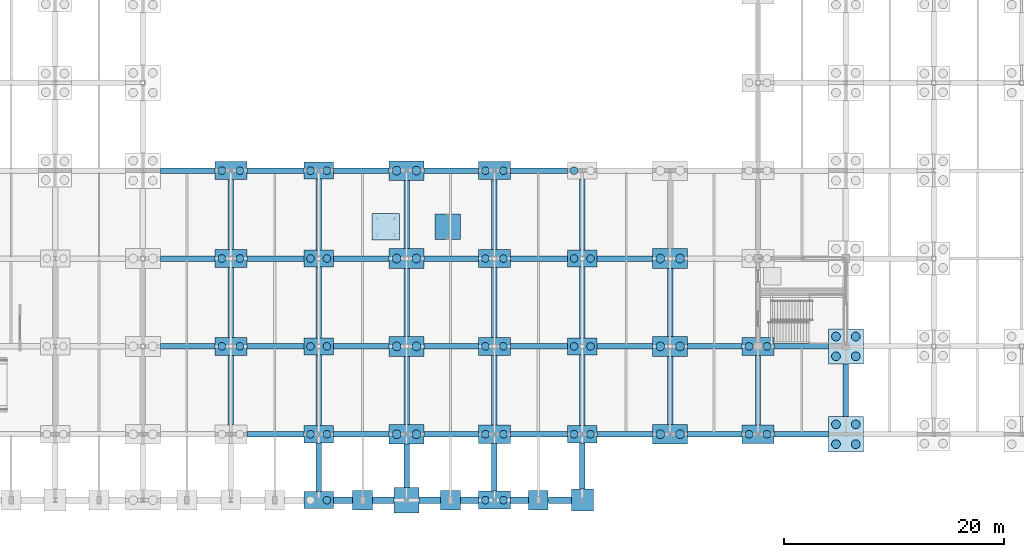
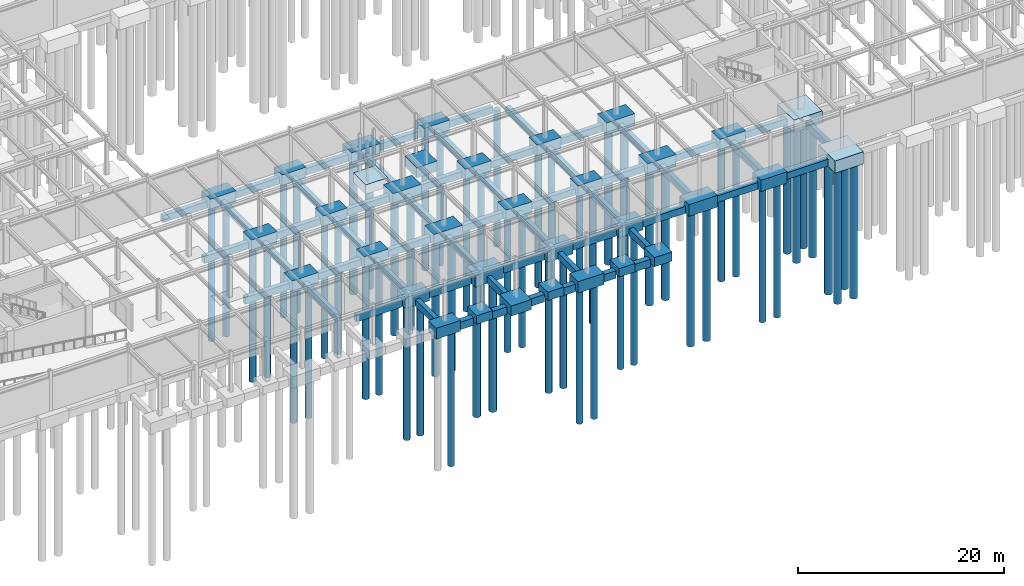
# One storey, part 4 of 72: 89 footings, 58 piles.
"""IFC4 building model written with IfcOpenShell, lengths in metres."""

import ifcopenshell
import ifcopenshell.guid

model = None  # the IFC model being written
_history = None  # IfcOwnerHistory: only IFC2X3 demands one
_inside = {}  # id of a spatial element -> (the spatial element, [elements in it])
_under = {}  # id of a project, library or spatial element -> (it, [spatial elements below it])
_declared = {}  # id of a project -> (the project, [libraries it declares])
_typed = {}  # id of a type object -> (the type object, [elements of that type])
_made_of = {}  # id of a material, layer set ... -> (it, [elements and type objects made of it])


def new_model(schema):
    """Start an empty IFC model of exactly this schema.

    Asked for "IFC4X3", IfcOpenShell would pick the latest addendum, in which some entities
    have other attributes; the version numbers below select the first issue.
    IFC2X3 requires an IfcOwnerHistory on every rooted entity: one is made here for all.
    """
    global model, _history
    if schema == "IFC4X3":
        model = ifcopenshell.file(schema_version=(4, 3, 0, 0))
    else:
        model = ifcopenshell.file(schema=schema)
    _inside.clear()
    _under.clear()
    _declared.clear()
    _typed.clear()
    _made_of.clear()
    _history = None
    if model.schema == "IFC2X3":
        org = make("IfcOrganization", Name="unknown")
        user = make(
            "IfcPersonAndOrganization",
            ThePerson=make("IfcPerson", FamilyName="unknown"),
            TheOrganization=org,
        )
        app = make(
            "IfcApplication",
            ApplicationDeveloper=org,
            Version="unknown",
            ApplicationFullName="unknown",
            ApplicationIdentifier="unknown",
        )
        _history = make(
            "IfcOwnerHistory",
            OwningUser=user,
            OwningApplication=app,
            ChangeAction="ADDED",
            CreationDate=0,
        )
    return model


def make(cls, **values):
    """One entity of the class cls with the attributes given. An attribute that is None is left unset."""
    return model.create_entity(
        cls, **{name: value for name, value in values.items() if value is not None}
    )


def rooted(cls, **values):
    """An entity with a GlobalId (a new one), such as an element, a storey or a relation."""
    return make(cls, GlobalId=ifcopenshell.guid.new(), OwnerHistory=_history, **values)


def si_unit(unit_type, name, prefix=None):
    """IfcSIUnit, for example si_unit("LENGTHUNIT", "METRE", prefix="MILLI")."""
    return make("IfcSIUnit", UnitType=unit_type, Prefix=prefix, Name=name)


def assignment(units):
    """IfcUnitAssignment: the units of a project."""
    return None if units is None else make("IfcUnitAssignment", Units=units)


def point(xyz):
    """IfcCartesianPoint."""
    return None if xyz is None else make("IfcCartesianPoint", Coordinates=xyz)


def direction(xyz):
    """IfcDirection."""
    return None if xyz is None else make("IfcDirection", DirectionRatios=xyz)


def frame(location, z_axis=None, x_axis=None):
    """IfcAxis2Placement3D, a coordinate frame: its origin and axes. An axis left out is left unset."""
    return make(
        "IfcAxis2Placement3D",
        Location=point(location),
        Axis=direction(z_axis),
        RefDirection=direction(x_axis),
    )


def frame_2d(location, x_axis=None):
    """IfcAxis2Placement2D, a coordinate frame in the plane: its origin and x axis."""
    return make(
        "IfcAxis2Placement2D", Location=point(location), RefDirection=direction(x_axis)
    )


def origin():
    """The frame at (0, 0, 0) with its axes left unset."""
    return frame((0.0, 0.0, 0.0))


def origin_2d():
    """The frame at (0, 0) in the plane with its x axis left unset."""
    return frame_2d((0.0, 0.0))


def place(relative_to, where):
    """IfcLocalPlacement: puts the frame where relative to a parent placement (None: the world)."""
    return make(
        "IfcLocalPlacement", PlacementRelTo=relative_to, RelativePlacement=where
    )


def context(
    kind, dimensions, precision=None, world=None, true_north=None, identifier=None
):
    """IfcGeometricRepresentationContext, for example the 3D "Model" context."""
    return make(
        "IfcGeometricRepresentationContext",
        ContextIdentifier=identifier,
        ContextType=kind,
        CoordinateSpaceDimension=dimensions,
        Precision=precision,
        WorldCoordinateSystem=world,
        TrueNorth=true_north,
    )


def subcontext(parent, identifier, kind, view, scale=None):
    """IfcGeometricRepresentationSubContext, for example "Body" below "Model"."""
    return make(
        "IfcGeometricRepresentationSubContext",
        ContextIdentifier=identifier,
        ContextType=kind,
        ParentContext=parent,
        TargetScale=scale,
        TargetView=view,
    )


def project(units=None, contexts=None):
    """IfcProject with its units and contexts."""
    return rooted(
        "IfcProject",
        Name="project",
        RepresentationContexts=contexts,
        UnitsInContext=assignment(units),
    )


def spatial(cls, under=None, at=None, **own):
    """A site, building, storey or space (cls), placed at a placement, below another one or the project."""
    s = rooted(cls, ObjectPlacement=at, **own)
    if under is not None:
        _under.setdefault(under.id(), (under, []))[1].append(s)
    return s


def profile(cls, at=None, kind="AREA", **sizes):
    """A parametric profile (cls). Its sizes go by their IFC names, for example OverallWidth=200.0."""
    return make(cls, ProfileType=kind, Position=at, **sizes)


def rectangle(**sizes):
    """IfcRectangleProfileDef."""
    return profile("IfcRectangleProfileDef", **sizes)


def circle(**sizes):
    """IfcCircleProfileDef."""
    return profile("IfcCircleProfileDef", **sizes)


def extrude(swept, where, along, depth):
    """IfcExtrudedAreaSolid: the profile swept, set in the frame where, extruded along a direction by depth."""
    return make(
        "IfcExtrudedAreaSolid",
        SweptArea=swept,
        Position=where,
        ExtrudedDirection=direction(along),
        Depth=depth,
    )


def shape(context_of_items, identifier, shape_type, items):
    """IfcShapeRepresentation: the items that make up one representation, for example the "Body"."""
    return make(
        "IfcShapeRepresentation",
        ContextOfItems=context_of_items,
        RepresentationIdentifier=identifier,
        RepresentationType=shape_type,
        Items=items,
    )


def material(Name=None, Category=None):
    """IfcMaterial."""
    return make("IfcMaterial", Name=Name, Category=Category)


def material_profile(
    of_material, cross_section, Name=None, Category=None, Priority=None
):
    """IfcMaterialProfile: a cross section and its material."""
    return make(
        "IfcMaterialProfile",
        Name=Name,
        Material=of_material,
        Profile=cross_section,
        Priority=Priority,
        Category=Category,
    )


def profile_set(profiles, Name=None, composite=None):
    """IfcMaterialProfileSet."""
    return make(
        "IfcMaterialProfileSet",
        Name=Name,
        MaterialProfiles=profiles,
        CompositeProfile=composite,
    )


def made_of(thing, what):
    """Note that an element or type object is made of a material, layer set ...; save() writes the relation."""
    if what is not None:
        _made_of.setdefault(what.id(), (what, []))[1].append(thing)
    return thing


def type_object(cls, material=None, **own):
    """A type object (cls), such as IfcWallType, which elements share."""
    return made_of(rooted(cls, **own), material)


def element(
    cls,
    number,
    at=None,
    inside=None,
    cuts=None,
    type_object=None,
    material=None,
    context=None,
    identifier="Body",
    shape_type=None,
    held_by="IfcProductDefinitionShape",
    body=None,
    shapes=None,
    **own,
):
    """One element of the class cls, such as IfcWall. Its Tag is "e" and its number.

    at: its placement. inside: the storey or other place that contains it. cuts: it is an
    opening in that element (IfcRelVoidsElement). A single representation is given by context,
    identifier, shape_type and body (its items); several are given by shapes. held_by: the class
    of the entity that holds the representations. save() writes the other relations.
    """
    e = rooted(cls, Tag="e%d" % number, ObjectPlacement=at, **own)
    if body is not None:
        shapes = [shape(context, identifier, shape_type, body)]
    if shapes is not None:
        e.Representation = make(held_by, Representations=shapes)
    if inside is not None:
        _inside.setdefault(inside.id(), (inside, []))[1].append(e)
    if cuts is not None:
        rooted(
            "IfcRelVoidsElement", RelatingBuildingElement=cuts, RelatedOpeningElement=e
        )
    if type_object is not None:
        _typed.setdefault(type_object.id(), (type_object, []))[1].append(e)
    return made_of(e, material)


def aggregate(whole, parts):
    """IfcRelAggregates: a whole, such as a stair, and the parts it consists of."""
    return rooted("IfcRelAggregates", RelatingObject=whole, RelatedObjects=parts)


def save(model, path):
    """Write the relations noted so far, then the file.

    IfcRelAggregates (storeys below a building ...), IfcRelContainedInSpatialStructure (elements
    in a storey), IfcRelDefinesByType, IfcRelAssociatesMaterial and IfcRelDeclares: one each for
    every whole, place, type object, material and project.
    """
    for whole, parts in _under.values():
        aggregate(whole, parts)
    for where, things in _inside.values():
        rooted(
            "IfcRelContainedInSpatialStructure",
            RelatedElements=things,
            RelatingStructure=where,
        )
    for kind, things in _typed.values():
        rooted("IfcRelDefinesByType", RelatedObjects=things, RelatingType=kind)
    for what, things in _made_of.values():
        rooted("IfcRelAssociatesMaterial", RelatedObjects=things, RelatingMaterial=what)
    for by, libraries in _declared.values():
        rooted("IfcRelDeclares", RelatingContext=by, RelatedDefinitions=libraries)
    model.write(path)


model = new_model("IFC4")

# Units and contexts
model_context = context("Model", 3, precision=1e-05, world=origin(), true_north=direction((0.0, 1.0)))
body_context = subcontext(model_context, "Body", "Model", "MODEL_VIEW")
ifc_project = project(units=[si_unit("LENGTHUNIT", "METRE"), si_unit("AREAUNIT", "SQUARE_METRE"), si_unit("VOLUMEUNIT", "CUBIC_METRE"), si_unit("PLANEANGLEUNIT", "RADIAN"), si_unit("MASSUNIT", "GRAM", prefix="KILO")], contexts=[model_context])

# Site, building, storey
site_placement = place(None, origin())
site = spatial("IfcSite", under=ifc_project, at=site_placement, CompositionType="ELEMENT")
building_placement = place(site_placement, origin())
building = spatial("IfcBuilding", under=site, at=building_placement, Name="Zhaolan Boulevard Law Courts", CompositionType="ELEMENT")
storey_placement = place(building_placement, frame((0.0, 0.0, -4.800048828125)))
storey = spatial("IfcBuildingStorey", under=building, at=storey_placement, Name="B1", CompositionType="ELEMENT", Elevation=-4.800048828125)

# Piles
ifc_material_1 = material(Name="Concrete C40", Category="concrete")
ifc_material_profile_1 = material_profile(ifc_material_1, circle(Radius=0.35009765625, at=origin_2d()), Name="PILE-D700")
ifc_profile_set_1 = profile_set([ifc_material_profile_1], Name="Concrete C40")
pile_type_1 = type_object("IfcPileType", Name="BORED PILE D700", PredefinedType="BORED", material=ifc_profile_set_1)
for number, where, z_axis, x_axis, name in (
    (1, (67.179931640625, 14.0, -1.25), (0.0, 0.0, -1.0), (1.0, 0.0, 0.0), "Bored Pile P-9C-1"),
    (2, (68.820068359375, 14.0, -1.25), (0.0, 0.0, -1.0), (1.0, 0.0, 0.0), "Bored Pile P-9C-2"),
    (3, (67.179931640625, 22.0, -1.25), (0.0, 0.0, -1.0), (1.0, 0.0, 0.0), "Bored Pile P-9D-1"),
    (4, (68.820068359375, 22.0, -1.25), (0.0, 0.0, -1.0), (1.0, 0.0, 0.0), "Bored Pile P-9D-2"),
    (5, (67.179931640625, 30.0, -1.25), (0.0, 0.0, -1.0), (1.0, 0.0, 0.0), "Bored Pile P-9E-1"),
    (6, (68.820068359375, 30.0, -1.25), (0.0, 0.0, -1.0), (1.0, 0.0, 0.0), "Bored Pile P-9E-2"),
):
    element("IfcPile", number, at=place(storey_placement, frame(where, z_axis=z_axis, x_axis=x_axis)), inside=storey, type_object=pile_type_1, Name=name, PredefinedType="BORED", context=body_context, shape_type="SweptSolid", body=[
        extrude(circle(Radius=0.35009765625, at=origin_2d()), origin(), (0.0, 0.0, 1.0), 16.14990234375),
    ])
for number, where, z_axis, x_axis, name in (
    (7, (76.75, 0.0, -1.199951171875), (0.0, 0.0, -1.0), (1.0, 0.0, 0.0), "Bored Pile P-10A-2"),
    (8, (75.25, 6.0, -1.199951171875), (0.0, 0.0, -1.0), (1.0, 0.0, 0.0), "Bored Pile P-10B-1"),
    (9, (76.75, 6.0, -1.199951171875), (0.0, 0.0, -1.0), (1.0, 0.0, 0.0), "Bored Pile P-10B-2"),
    (10, (75.25, 14.0, -1.199951171875), (0.0, 0.0, -1.0), (1.0, 0.0, 0.0), "Bored Pile P-10C-1"),
    (11, (76.75, 14.0, -1.199951171875), (0.0, 0.0, -1.0), (1.0, 0.0, 0.0), "Bored Pile P-10C-2"),
    (12, (75.25, 22.0, -1.199951171875), (0.0, 0.0, -1.0), (1.0, 0.0, 0.0), "Bored Pile P-10D-1"),
    (13, (76.75, 22.0, -1.199951171875), (0.0, 0.0, -1.0), (1.0, 0.0, 0.0), "Bored Pile P-10D-2"),
    (14, (75.25, 30.0, -1.199951171875), (0.0, 0.0, -1.0), (1.0, 0.0, 0.0), "Bored Pile P-10E-1"),
    (15, (76.75, 30.0, -1.199951171875), (0.0, 0.0, -1.0), (1.0, 0.0, 0.0), "Bored Pile P-10E-2"),
):
    element("IfcPile", number, at=place(storey_placement, frame(where, z_axis=z_axis, x_axis=x_axis)), inside=storey, type_object=pile_type_1, Name=name, PredefinedType="BORED", context=body_context, shape_type="SweptSolid", body=[
        extrude(circle(Radius=0.35009765625, at=origin_2d()), origin(), (0.0, 0.0, 1.0), 16.199951171875),
    ])
for number, where, z_axis, x_axis, name in (
    (16, (91.179931640625, 0.0, -1.25), (0.0, 0.0, -1.0), (1.0, 0.0, 0.0), "Bored Pile P-12A-1"),
    (17, (92.820068359375, 0.0, -1.25), (0.0, 0.0, -1.0), (1.0, 0.0, 0.0), "Bored Pile P-12A-2"),
    (18, (91.179931640625, 6.0, -1.25), (0.0, 0.0, -1.0), (1.0, 0.0, 0.0), "Bored Pile P-12B-1"),
    (19, (92.820068359375, 6.0, -1.25), (0.0, 0.0, -1.0), (1.0, 0.0, 0.0), "Bored Pile P-12B-2"),
    (20, (91.179931640625, 14.0, -1.25), (0.0, 0.0, -1.0), (1.0, 0.0, 0.0), "Bored Pile P-12C-1"),
    (21, (92.820068359375, 14.0, -1.25), (0.0, 0.0, -1.0), (1.0, 0.0, 0.0), "Bored Pile P-12C-2"),
    (22, (91.179931640625, 22.0, -1.25), (0.0, 0.0, -1.0), (1.0, 0.0, 0.0), "Bored Pile P-12D-1"),
    (23, (92.820068359375, 22.0, -1.25), (0.0, 0.0, -1.0), (1.0, 0.0, 0.0), "Bored Pile P-12D-2"),
    (24, (91.179931640625, 30.0, -1.25), (0.0, 0.0, -1.0), (1.0, 0.0, 0.0), "Bored Pile P-12E-1"),
    (25, (92.820068359375, 30.0, -1.25), (0.0, 0.0, -1.0), (1.0, 0.0, 0.0), "Bored Pile P-12E-2"),
):
    element("IfcPile", number, at=place(storey_placement, frame(where, z_axis=z_axis, x_axis=x_axis)), inside=storey, type_object=pile_type_1, Name=name, PredefinedType="BORED", context=body_context, shape_type="SweptSolid", body=[
        extrude(circle(Radius=0.35009765625, at=origin_2d()), origin(), (0.0, 0.0, 1.0), 16.14990234375),
    ])
for number, where, z_axis, x_axis, name in (
    (26, (99.25, 6.0, -1.199951171875), (0.0, 0.0, -1.0), (1.0, 0.0, 0.0), "Bored Pile P-13B-1"),
    (27, (100.75, 6.0, -1.199951171875), (0.0, 0.0, -1.0), (1.0, 0.0, 0.0), "Bored Pile P-13B-2"),
    (28, (99.25, 14.0, -1.199951171875), (0.0, 0.0, -1.0), (1.0, 0.0, 0.0), "Bored Pile P-13C-1"),
    (29, (100.75, 14.0, -1.199951171875), (0.0, 0.0, -1.0), (1.0, 0.0, 0.0), "Bored Pile P-13C-2"),
    (30, (99.25, 22.0, -1.199951171875), (0.0, 0.0, -1.0), (1.0, 0.0, 0.0), "Bored Pile P-13D-1"),
    (31, (100.75, 22.0, -1.199951171875), (0.0, 0.0, -1.0), (1.0, 0.0, 0.0), "Bored Pile P-13D-2"),
    (32, (99.25, 30.0, -1.199951171875), (0.0, 0.0, -1.0), (1.0, 0.0, 0.0), "Bored Pile P-13E-1"),
):
    element("IfcPile", number, at=place(storey_placement, frame(where, z_axis=z_axis, x_axis=x_axis)), inside=storey, type_object=pile_type_1, Name=name, PredefinedType="BORED", context=body_context, shape_type="SweptSolid", body=[
        extrude(circle(Radius=0.35009765625, at=origin_2d()), origin(), (0.0, 0.0, 1.0), 16.199951171875),
    ])
for number, where, z_axis, x_axis, name in (
    (33, (115.179931640625, 6.0, -1.25), (0.0, 0.0, -1.0), (1.0, 0.0, 0.0), "Bored Pile P-15B-1"),
    (34, (116.820068359375, 6.0, -1.25), (0.0, 0.0, -1.0), (1.0, 0.0, 0.0), "Bored Pile P-15B-2"),
    (35, (115.179931640625, 14.0, -1.25), (0.0, 0.0, -1.0), (1.0, 0.0, 0.0), "Bored Pile P-15C-1"),
    (36, (116.820068359375, 14.0, -1.25), (0.0, 0.0, -1.0), (1.0, 0.0, 0.0), "Bored Pile P-15C-2"),
):
    element("IfcPile", number, at=place(storey_placement, frame(where, z_axis=z_axis, x_axis=x_axis)), inside=storey, type_object=pile_type_1, Name=name, PredefinedType="BORED", context=body_context, shape_type="SweptSolid", body=[
        extrude(circle(Radius=0.35009765625, at=origin_2d()), origin(), (0.0, 0.0, 1.0), 16.14990234375),
    ])
ifc_material_2 = material(Name="Concrete C40", Category="concrete")
ifc_material_profile_2 = material_profile(ifc_material_2, circle(Radius=0.39990234375, at=origin_2d()), Name="PILE-D800")
ifc_profile_set_2 = profile_set([ifc_material_profile_2], Name="Concrete C40")
pile_type_2 = type_object("IfcPileType", Name="BORED PILE D800", PredefinedType="BORED", material=ifc_profile_set_2)
for number, where, z_axis, x_axis, name in (
    (37, (83.10009765625, 6.0, -1.300048828125), (0.0, 0.0, -1.0), (1.0, 0.0, 0.0), "Bored Pile P-11B-1"),
    (38, (84.89990234375, 6.0, -1.300048828125), (0.0, 0.0, -1.0), (1.0, 0.0, 0.0), "Bored Pile P-11B-2"),
    (39, (83.10009765625, 14.0, -1.300048828125), (0.0, 0.0, -1.0), (1.0, 0.0, 0.0), "Bored Pile P-11C-1"),
    (40, (84.89990234375, 14.0, -1.300048828125), (0.0, 0.0, -1.0), (1.0, 0.0, 0.0), "Bored Pile P-11C-2"),
    (41, (83.10009765625, 22.0, -1.300048828125), (0.0, 0.0, -1.0), (1.0, 0.0, 0.0), "Bored Pile P-11D-1"),
    (42, (84.89990234375, 22.0, -1.300048828125), (0.0, 0.0, -1.0), (1.0, 0.0, 0.0), "Bored Pile P-11D-2"),
    (43, (83.10009765625, 30.0, -1.300048828125), (0.0, 0.0, -1.0), (1.0, 0.0, 0.0), "Bored Pile P-11E-1"),
    (44, (84.89990234375, 30.0, -1.300048828125), (0.0, 0.0, -1.0), (1.0, 0.0, 0.0), "Bored Pile P-11E-2"),
    (45, (107.10009765625, 6.0, -1.300048828125), (0.0, 0.0, -1.0), (1.0, 0.0, 0.0), "Bored Pile P-14B-1"),
    (46, (108.89990234375, 6.0, -1.300048828125), (0.0, 0.0, -1.0), (1.0, 0.0, 0.0), "Bored Pile P-14B-2"),
    (47, (107.10009765625, 14.0, -1.300048828125), (0.0, 0.0, -1.0), (1.0, 0.0, 0.0), "Bored Pile P-14C-1"),
    (48, (108.89990234375, 14.0, -1.300048828125), (0.0, 0.0, -1.0), (1.0, 0.0, 0.0), "Bored Pile P-14C-2"),
    (49, (107.10009765625, 22.0, -1.300048828125), (0.0, 0.0, -1.0), (1.0, 0.0, 0.0), "Bored Pile P-14D-1"),
    (50, (108.89990234375, 22.0, -1.300048828125), (0.0, 0.0, -1.0), (1.0, 0.0, 0.0), "Bored Pile P-14D-2"),
):
    element("IfcPile", number, at=place(storey_placement, frame(where, z_axis=z_axis, x_axis=x_axis)), inside=storey, type_object=pile_type_2, Name=name, PredefinedType="BORED", context=body_context, shape_type="SweptSolid", body=[
        extrude(circle(Radius=0.39990234375, at=origin_2d()), origin(), (0.0, 0.0, 1.0), 16.10009765625),
    ])
for number, where, z_axis, x_axis, name in (
    (51, (123.10009765625, 5.10009765625, -1.349853515625), (0.0, 0.0, -1.0), (1.0, 0.0, 0.0), "Bored Pile P-16B-1"),
    (52, (124.89990234375, 5.10009765625, -1.349853515625), (0.0, 0.0, -1.0), (1.0, 0.0, 0.0), "Bored Pile P-16B-2"),
    (53, (123.10009765625, 6.89990234375, -1.349853515625), (0.0, 0.0, -1.0), (1.0, 0.0, 0.0), "Bored Pile P-16B-3"),
    (54, (124.89990234375, 6.89990234375, -1.349853515625), (0.0, 0.0, -1.0), (1.0, 0.0, 0.0), "Bored Pile P-16B-4"),
    (55, (123.10009765625, 13.10009765625, -1.349853515625), (0.0, 0.0, -1.0), (1.0, 0.0, 0.0), "Bored Pile P-16C-1"),
    (56, (124.89990234375, 13.10009765625, -1.349853515625), (0.0, 0.0, -1.0), (1.0, 0.0, 0.0), "Bored Pile P-16C-2"),
    (57, (123.10009765625, 14.89990234375, -1.349853515625), (0.0, 0.0, -1.0), (1.0, 0.0, 0.0), "Bored Pile P-16C-3"),
    (58, (124.89990234375, 14.89990234375, -1.349853515625), (0.0, 0.0, -1.0), (1.0, 0.0, 0.0), "Bored Pile P-16C-4"),
):
    element("IfcPile", number, at=place(storey_placement, frame(where, z_axis=z_axis, x_axis=x_axis)), inside=storey, type_object=pile_type_2, Name=name, PredefinedType="BORED", context=body_context, shape_type="SweptSolid", body=[
        extrude(circle(Radius=0.39990234375, at=origin_2d()), origin(), (0.0, 0.0, 1.0), 16.050048828125),
    ])

# Footings
ifc_material_3 = material(Name="Concrete C40", Category="concrete")
footing_type_1 = type_object("IfcFootingType", Name="PAD FOOTING 1800X1800X1000", PredefinedType="PAD_FOOTING", material=ifc_material_3)
for number, where, z_axis, x_axis, name in (
    (59, (80.0, 0.0, -1.0), (0.0, 0.0, 1.0), (1.0, 0.0, 0.0), "Pilaster Pad Footing PFP-05"),
    (60, (88.0, 0.0, -1.0), (0.0, 0.0, 1.0), (1.0, 0.0, 0.0), "Pilaster Pad Footing PFP-06"),
    (61, (96.0, 0.0, -1.0), (0.0, 0.0, 1.0), (1.0, 0.0, 0.0), "Pilaster Pad Footing PFP-07"),
):
    element("IfcFooting", number, at=place(storey_placement, frame(where, z_axis=z_axis, x_axis=x_axis)), inside=storey, type_object=footing_type_1, Name=name, PredefinedType="PAD_FOOTING", context=body_context, shape_type="SweptSolid", body=[
        extrude(rectangle(XDim=1.800048828125, YDim=1.800048828125, at=origin_2d()), origin(), (0.0, 0.0, 1.0), 1.0),
    ])
ifc_material_4 = material(Name="Concrete C40", Category="concrete")
footing_type_2 = type_object("IfcFootingType", Name="PAD FOOTING 2000X2000X1100", PredefinedType="PAD_FOOTING", material=ifc_material_4)
footing_1_placement = place(storey_placement, frame((100.0, 0.0, -1.10009765625), z_axis=(0.0, 0.0, 1.0), x_axis=(1.0, 0.0, 0.0)))
element("IfcFooting", 62, at=footing_1_placement, inside=storey, type_object=footing_type_2, Name="Pad Footing PF-13A", PredefinedType="PAD_FOOTING", context=body_context, shape_type="SweptSolid", body=[
    extrude(rectangle(XDim=2.0, YDim=2.0, at=origin_2d()), origin(), (0.0, 0.0, 1.0), 1.10009765625),
])
ifc_material_5 = material(Name="Concrete C40", Category="concrete")
footing_type_3 = type_object("IfcFootingType", Name="PAD FOOTING 2300X2300X1200", PredefinedType="PAD_FOOTING", material=ifc_material_5)
for number, where, z_axis, x_axis, name in (
    (63, (84.0, 0.0, -1.19970703125), (0.0, 0.0, 1.0), (1.0, 0.0, 0.0), "Pad Footing PF-11A"),
    (64, (87.75, 24.89990234375, -1.19970703125), (0.0, 0.0, 1.0), (1.0, 0.0, 0.0), "Grand Stair Arrival Footing PF-ST6T"),
):
    element("IfcFooting", number, at=place(storey_placement, frame(where, z_axis=z_axis, x_axis=x_axis)), inside=storey, type_object=footing_type_3, Name=name, PredefinedType="PAD_FOOTING", context=body_context, shape_type="SweptSolid", body=[
        extrude(rectangle(XDim=2.300048828125, YDim=2.300048828125, at=origin_2d()), origin(), (0.0, 0.0, 1.0), 1.199951171875),
    ])
ifc_material_6 = material(Name="Concrete C40", Category="concrete")
footing_type_4 = type_object("IfcFootingType", Name="PAD FOOTING 2500X2400X1100", PredefinedType="PAD_FOOTING", material=ifc_material_6)
footing_2_placement = place(storey_placement, frame((82.10009765625, 24.89990234375, -1.10009765625), z_axis=(0.0, 0.0, 1.0), x_axis=(1.0, 0.0, 0.0)))
element("IfcFooting", 65, at=footing_2_placement, inside=storey, type_object=footing_type_4, Name="Grand Stair Combined Pad Footing PF-ST6", PredefinedType="PAD_FOOTING", context=body_context, shape_type="SweptSolid", body=[
    extrude(rectangle(XDim=2.5, YDim=2.39990234375, at=origin_2d()), origin(), (0.0, 0.0, 1.0), 1.10009765625),
])
ifc_material_7 = material(Name="Concrete C40", Category="concrete")
footing_type_5 = type_object("IfcFootingType", Name="PILE CAP 2700X1550X1300", PredefinedType="PILE_CAP", material=ifc_material_7)
for number, where, z_axis, x_axis, name in (
    (66, (76.0, 0.0, -1.2998046875), (0.0, 0.0, 1.0), (1.0, 0.0, 0.0), "Pile Cap PC-10A"),
    (67, (76.0, 6.0, -1.2998046875), (0.0, 0.0, 1.0), (1.0, 0.0, 0.0), "Pile Cap PC-10B"),
    (68, (76.0, 14.0, -1.2998046875), (0.0, 0.0, 1.0), (1.0, 0.0, 0.0), "Pile Cap PC-10C"),
    (69, (76.0, 22.0, -1.2998046875), (0.0, 0.0, 1.0), (1.0, 0.0, 0.0), "Pile Cap PC-10D"),
    (70, (76.0, 30.0, -1.2998046875), (0.0, 0.0, 1.0), (1.0, 0.0, 0.0), "Pile Cap PC-10E"),
    (71, (100.0, 6.0, -1.2998046875), (0.0, 0.0, 1.0), (1.0, 0.0, 0.0), "Pile Cap PC-13B"),
    (72, (100.0, 14.0, -1.2998046875), (0.0, 0.0, 1.0), (1.0, 0.0, 0.0), "Pile Cap PC-13C"),
    (73, (100.0, 22.0, -1.2998046875), (0.0, 0.0, 1.0), (1.0, 0.0, 0.0), "Pile Cap PC-13D"),
):
    element("IfcFooting", number, at=place(storey_placement, frame(where, z_axis=z_axis, x_axis=x_axis)), inside=storey, type_object=footing_type_5, Name=name, PredefinedType="PILE_CAP", context=body_context, shape_type="SweptSolid", body=[
        extrude(rectangle(XDim=2.699951171875, YDim=1.550048828125, at=origin_2d()), origin(), (0.0, 0.0, 1.0), 1.300048828125),
    ])
ifc_material_8 = material(Name="Concrete C40", Category="concrete")
footing_type_6 = type_object("IfcFootingType", Name="PILE CAP 2900X1650X1350", PredefinedType="PILE_CAP", material=ifc_material_8)
for number, where, z_axis, x_axis, name in (
    (74, (68.0, 14.0, -1.35009765625), (0.0, 0.0, 1.0), (1.0, 0.0, 0.0), "Pile Cap PC-9C"),
    (75, (68.0, 22.0, -1.35009765625), (0.0, 0.0, 1.0), (1.0, 0.0, 0.0), "Pile Cap PC-9D"),
    (76, (68.0, 30.0, -1.35009765625), (0.0, 0.0, 1.0), (1.0, 0.0, 0.0), "Pile Cap PC-9E"),
    (77, (92.0, 0.0, -1.35009765625), (0.0, 0.0, 1.0), (1.0, 0.0, 0.0), "Pile Cap PC-12A"),
    (78, (92.0, 6.0, -1.35009765625), (0.0, 0.0, 1.0), (1.0, 0.0, 0.0), "Pile Cap PC-12B"),
    (79, (92.0, 14.0, -1.35009765625), (0.0, 0.0, 1.0), (1.0, 0.0, 0.0), "Pile Cap PC-12C"),
    (80, (92.0, 22.0, -1.35009765625), (0.0, 0.0, 1.0), (1.0, 0.0, 0.0), "Pile Cap PC-12D"),
    (81, (92.0, 30.0, -1.35009765625), (0.0, 0.0, 1.0), (1.0, 0.0, 0.0), "Pile Cap PC-12E"),
    (82, (116.0, 6.0, -1.35009765625), (0.0, 0.0, 1.0), (1.0, 0.0, 0.0), "Pile Cap PC-15B"),
    (83, (116.0, 14.0, -1.35009765625), (0.0, 0.0, 1.0), (1.0, 0.0, 0.0), "Pile Cap PC-15C"),
):
    element("IfcFooting", number, at=place(storey_placement, frame(where, z_axis=z_axis, x_axis=x_axis)), inside=storey, type_object=footing_type_6, Name=name, PredefinedType="PILE_CAP", context=body_context, shape_type="SweptSolid", body=[
        extrude(rectangle(XDim=2.89990234375, YDim=1.64990234375, at=origin_2d()), origin(), (0.0, 0.0, 1.0), 1.35009765625),
    ])
ifc_material_9 = material(Name="Concrete C40", Category="concrete")
footing_type_7 = type_object("IfcFootingType", Name="PILE CAP 3200X1800X1400", PredefinedType="PILE_CAP", material=ifc_material_9)
for number, where, z_axis, x_axis, name in (
    (84, (84.0, 6.0, -1.39990234375), (0.0, 0.0, 1.0), (1.0, 0.0, 0.0), "Pile Cap PC-11B"),
    (85, (84.0, 14.0, -1.39990234375), (0.0, 0.0, 1.0), (1.0, 0.0, 0.0), "Pile Cap PC-11C"),
    (86, (84.0, 22.0, -1.39990234375), (0.0, 0.0, 1.0), (1.0, 0.0, 0.0), "Pile Cap PC-11D"),
    (87, (84.0, 30.0, -1.39990234375), (0.0, 0.0, 1.0), (1.0, 0.0, 0.0), "Pile Cap PC-11E"),
    (88, (108.0, 6.0, -1.39990234375), (0.0, 0.0, 1.0), (1.0, 0.0, 0.0), "Pile Cap PC-14B"),
    (89, (108.0, 14.0, -1.39990234375), (0.0, 0.0, 1.0), (1.0, 0.0, 0.0), "Pile Cap PC-14C"),
    (90, (108.0, 22.0, -1.39990234375), (0.0, 0.0, 1.0), (1.0, 0.0, 0.0), "Pile Cap PC-14D"),
):
    element("IfcFooting", number, at=place(storey_placement, frame(where, z_axis=z_axis, x_axis=x_axis)), inside=storey, type_object=footing_type_7, Name=name, PredefinedType="PILE_CAP", context=body_context, shape_type="SweptSolid", body=[
        extrude(rectangle(XDim=3.199951171875, YDim=1.800048828125, at=origin_2d()), origin(), (0.0, 0.0, 1.0), 1.39990234375),
    ])
ifc_material_10 = material(Name="Concrete C40", Category="concrete")
footing_type_8 = type_object("IfcFootingType", Name="PILE CAP 3200X3200X1450", PredefinedType="PILE_CAP", material=ifc_material_10)
for number, where, z_axis, x_axis, name in (
    (91, (124.0, 6.0, -1.44970703125), (0.0, 0.0, 1.0), (1.0, 0.0, 0.0), "Pile Cap PC-16B"),
    (92, (124.0, 14.0, -1.44970703125), (0.0, 0.0, 1.0), (1.0, 0.0, 0.0), "Pile Cap PC-16C"),
):
    element("IfcFooting", number, at=place(storey_placement, frame(where, z_axis=z_axis, x_axis=x_axis)), inside=storey, type_object=footing_type_8, Name=name, PredefinedType="PILE_CAP", context=body_context, shape_type="SweptSolid", body=[
        extrude(rectangle(XDim=3.199951171875, YDim=3.199951171875, at=origin_2d()), origin(), (0.0, 0.0, 1.0), 1.449951171875),
    ])
ifc_material_11 = material(Name="Concrete C40", Category="concrete")
ifc_material_profile_3 = material_profile(ifc_material_11, rectangle(XDim=0.5, YDim=0.800048828125, at=origin_2d()), Name="RC500x800")
ifc_profile_set_3 = profile_set([ifc_material_profile_3], Name="Concrete C40")
footing_type_9 = type_object("IfcFootingType", Name="TIE BEAM 500X800", PredefinedType="FOOTING_BEAM", material=ifc_profile_set_3)
for number, where, z_axis, x_axis, name in (
    (93, (61.60205078125, 14.0, -1.0), (1.0, 0.0, 0.0), (0.0, 1.0, 0.0), "Foundation Tie Beam TBX-8-9-C"),
    (94, (61.60205078125, 22.0, -1.0), (1.0, 0.0, 0.0), (0.0, 1.0, 0.0), "Foundation Tie Beam TBX-8-9-D"),
    (95, (61.60205078125, 30.0, -1.0), (1.0, 0.0, 0.0), (0.0, 1.0, 0.0), "Foundation Tie Beam TBX-8-9-E"),
):
    element("IfcFooting", number, at=place(storey_placement, frame(where, z_axis=z_axis, x_axis=x_axis)), inside=storey, type_object=footing_type_9, Name=name, PredefinedType="FOOTING_BEAM", context=body_context, shape_type="SweptSolid", body=[
        extrude(rectangle(XDim=0.5, YDim=0.800048828125, at=origin_2d()), origin(), (0.0, 0.0, 1.0), 4.946044921875),
    ])
for number, where, z_axis, x_axis, name in (
    (96, (69.451904296875, 6.0, -1.0), (1.0, 0.0, 0.0), (0.0, 1.0, 0.0), "Foundation Tie Beam TBX-9-10-B"),
    (97, (69.451904296875, 14.0, -1.0), (1.0, 0.0, 0.0), (0.0, 1.0, 0.0), "Foundation Tie Beam TBX-9-10-C"),
    (98, (69.451904296875, 22.0, -1.0), (1.0, 0.0, 0.0), (0.0, 1.0, 0.0), "Foundation Tie Beam TBX-9-10-D"),
    (99, (69.451904296875, 30.0, -1.0), (1.0, 0.0, 0.0), (0.0, 1.0, 0.0), "Foundation Tie Beam TBX-9-10-E"),
):
    element("IfcFooting", number, at=place(storey_placement, frame(where, z_axis=z_axis, x_axis=x_axis)), inside=storey, type_object=footing_type_9, Name=name, PredefinedType="FOOTING_BEAM", context=body_context, shape_type="SweptSolid", body=[
        extrude(rectangle(XDim=0.5, YDim=0.800048828125, at=origin_2d()), origin(), (0.0, 0.0, 1.0), 5.196044921875),
    ])
for number, where, z_axis, x_axis, name in (
    (100, (77.35205078125, 6.0, -1.0), (1.0, 0.0, 0.0), (0.0, 1.0, 0.0), "Foundation Tie Beam TBX-10-11-B"),
    (101, (77.35205078125, 14.0, -1.0), (1.0, 0.0, 0.0), (0.0, 1.0, 0.0), "Foundation Tie Beam TBX-10-11-C"),
    (102, (77.35205078125, 22.0, -1.0), (1.0, 0.0, 0.0), (0.0, 1.0, 0.0), "Foundation Tie Beam TBX-10-11-D"),
    (103, (77.35205078125, 30.0, -1.0), (1.0, 0.0, 0.0), (0.0, 1.0, 0.0), "Foundation Tie Beam TBX-10-11-E"),
):
    element("IfcFooting", number, at=place(storey_placement, frame(where, z_axis=z_axis, x_axis=x_axis)), inside=storey, type_object=footing_type_9, Name=name, PredefinedType="FOOTING_BEAM", context=body_context, shape_type="SweptSolid", body=[
        extrude(rectangle(XDim=0.5, YDim=0.800048828125, at=origin_2d()), origin(), (0.0, 0.0, 1.0), 5.0458984375),
    ])
for number, where, z_axis, x_axis, name in (
    (104, (85.60205078125, 6.0, -1.0), (1.0, 0.0, 0.0), (0.0, 1.0, 0.0), "Foundation Tie Beam TBX-11-12-B"),
    (105, (85.60205078125, 14.0, -1.0), (1.0, 0.0, 0.0), (0.0, 1.0, 0.0), "Foundation Tie Beam TBX-11-12-C"),
    (106, (85.60205078125, 22.0, -1.0), (1.0, 0.0, 0.0), (0.0, 1.0, 0.0), "Foundation Tie Beam TBX-11-12-D"),
    (107, (85.60205078125, 30.0, -1.0), (1.0, 0.0, 0.0), (0.0, 1.0, 0.0), "Foundation Tie Beam TBX-11-12-E"),
):
    element("IfcFooting", number, at=place(storey_placement, frame(where, z_axis=z_axis, x_axis=x_axis)), inside=storey, type_object=footing_type_9, Name=name, PredefinedType="FOOTING_BEAM", context=body_context, shape_type="SweptSolid", body=[
        extrude(rectangle(XDim=0.5, YDim=0.800048828125, at=origin_2d()), origin(), (0.0, 0.0, 1.0), 4.946044921875),
    ])
for number, where, z_axis, x_axis, name in (
    (108, (93.451904296875, 6.0, -1.0), (1.0, 0.0, 0.0), (0.0, 1.0, 0.0), "Foundation Tie Beam TBX-12-13-B"),
    (109, (93.451904296875, 14.0, -1.0), (1.0, 0.0, 0.0), (0.0, 1.0, 0.0), "Foundation Tie Beam TBX-12-13-C"),
    (110, (93.451904296875, 22.0, -1.0), (1.0, 0.0, 0.0), (0.0, 1.0, 0.0), "Foundation Tie Beam TBX-12-13-D"),
    (111, (93.451904296875, 30.0, -1.0), (1.0, 0.0, 0.0), (0.0, 1.0, 0.0), "Foundation Tie Beam TBX-12-13-E"),
):
    element("IfcFooting", number, at=place(storey_placement, frame(where, z_axis=z_axis, x_axis=x_axis)), inside=storey, type_object=footing_type_9, Name=name, PredefinedType="FOOTING_BEAM", context=body_context, shape_type="SweptSolid", body=[
        extrude(rectangle(XDim=0.5, YDim=0.800048828125, at=origin_2d()), origin(), (0.0, 0.0, 1.0), 5.196044921875),
    ])
for number, where, z_axis, x_axis, name in (
    (112, (101.35205078125, 6.0, -1.0), (1.0, 0.0, 0.0), (0.0, 1.0, 0.0), "Foundation Tie Beam TBX-13-14-B"),
    (113, (101.35205078125, 14.0, -1.0), (1.0, 0.0, 0.0), (0.0, 1.0, 0.0), "Foundation Tie Beam TBX-13-14-C"),
    (114, (101.35205078125, 22.0, -1.0), (1.0, 0.0, 0.0), (0.0, 1.0, 0.0), "Foundation Tie Beam TBX-13-14-D"),
):
    element("IfcFooting", number, at=place(storey_placement, frame(where, z_axis=z_axis, x_axis=x_axis)), inside=storey, type_object=footing_type_9, Name=name, PredefinedType="FOOTING_BEAM", context=body_context, shape_type="SweptSolid", body=[
        extrude(rectangle(XDim=0.5, YDim=0.800048828125, at=origin_2d()), origin(), (0.0, 0.0, 1.0), 5.0458984375),
    ])
for number, where, z_axis, x_axis, name in (
    (115, (109.60205078125, 6.0, -1.0), (1.0, 0.0, 0.0), (0.0, 1.0, 0.0), "Foundation Tie Beam TBX-14-15-B"),
    (116, (109.60205078125, 14.0, -1.0), (1.0, 0.0, 0.0), (0.0, 1.0, 0.0), "Foundation Tie Beam TBX-14-15-C"),
    (117, (117.451904296875, 6.0, -1.0), (1.0, 0.0, 0.0), (0.0, 1.0, 0.0), "Foundation Tie Beam TBX-15-16-B"),
    (118, (117.451904296875, 14.0, -1.0), (1.0, 0.0, 0.0), (0.0, 1.0, 0.0), "Foundation Tie Beam TBX-15-16-C"),
):
    element("IfcFooting", number, at=place(storey_placement, frame(where, z_axis=z_axis, x_axis=x_axis)), inside=storey, type_object=footing_type_9, Name=name, PredefinedType="FOOTING_BEAM", context=body_context, shape_type="SweptSolid", body=[
        extrude(rectangle(XDim=0.5, YDim=0.800048828125, at=origin_2d()), origin(), (0.0, 0.0, 1.0), 4.946044921875),
    ])
for number, where, z_axis, x_axis, name in (
    (119, (68.0, 6.826904296875, -1.0), (0.0, 1.0, 0.0), (-1.0, 0.0, 0.0), "Foundation Tie Beam TBY-9-B-C"),
    (120, (68.0, 14.826904296875, -1.0), (0.0, 1.0, 0.0), (-1.0, 0.0, 0.0), "Foundation Tie Beam TBY-9-C-D"),
    (121, (68.0, 22.826904296875, -1.0), (0.0, 1.0, 0.0), (-1.0, 0.0, 0.0), "Foundation Tie Beam TBY-9-D-E"),
):
    element("IfcFooting", number, at=place(storey_placement, frame(where, z_axis=z_axis, x_axis=x_axis)), inside=storey, type_object=footing_type_9, Name=name, PredefinedType="FOOTING_BEAM", context=body_context, shape_type="SweptSolid", body=[
        extrude(rectangle(XDim=0.5, YDim=0.800048828125, at=origin_2d()), origin(), (0.0, 0.0, 1.0), 6.34619140625),
    ])
footing_3_placement = place(storey_placement, frame((76.0, 0.777099609375, -1.0), z_axis=(0.0, 1.0, 0.0), x_axis=(-1.0, 0.0, 0.0)))
element("IfcFooting", 122, at=footing_3_placement, inside=storey, type_object=footing_type_9, Name="Foundation Tie Beam TBY-10-A-B", PredefinedType="FOOTING_BEAM", context=body_context, shape_type="SweptSolid", body=[
    extrude(rectangle(XDim=0.5, YDim=0.800048828125, at=origin_2d()), origin(), (0.0, 0.0, 1.0), 4.44580078125),
])
for number, where, z_axis, x_axis, name in (
    (123, (76.0, 6.777099609375, -1.0), (0.0, 1.0, 0.0), (-1.0, 0.0, 0.0), "Foundation Tie Beam TBY-10-B-C"),
    (124, (76.0, 14.777099609375, -1.0), (0.0, 1.0, 0.0), (-1.0, 0.0, 0.0), "Foundation Tie Beam TBY-10-C-D"),
    (125, (76.0, 22.777099609375, -1.0), (0.0, 1.0, 0.0), (-1.0, 0.0, 0.0), "Foundation Tie Beam TBY-10-D-E"),
):
    element("IfcFooting", number, at=place(storey_placement, frame(where, z_axis=z_axis, x_axis=x_axis)), inside=storey, type_object=footing_type_9, Name=name, PredefinedType="FOOTING_BEAM", context=body_context, shape_type="SweptSolid", body=[
        extrude(rectangle(XDim=0.5, YDim=0.800048828125, at=origin_2d()), origin(), (0.0, 0.0, 1.0), 6.44580078125),
    ])
footing_4_placement = place(storey_placement, frame((84.0, 1.152099609375, -1.0), z_axis=(0.0, 1.0, 0.0), x_axis=(-1.0, 0.0, 0.0)))
element("IfcFooting", 126, at=footing_4_placement, inside=storey, type_object=footing_type_9, Name="Foundation Tie Beam TBY-11-A-B", PredefinedType="FOOTING_BEAM", context=body_context, shape_type="SweptSolid", body=[
    extrude(rectangle(XDim=0.5, YDim=0.800048828125, at=origin_2d()), origin(), (0.0, 0.0, 1.0), 3.94580078125),
])
for number, where, z_axis, x_axis, name in (
    (127, (84.0, 6.902099609375, -1.0), (0.0, 1.0, 0.0), (-1.0, 0.0, 0.0), "Foundation Tie Beam TBY-11-B-C"),
    (128, (84.0, 14.902099609375, -1.0), (0.0, 1.0, 0.0), (-1.0, 0.0, 0.0), "Foundation Tie Beam TBY-11-C-D"),
    (129, (84.0, 22.902099609375, -1.0), (0.0, 1.0, 0.0), (-1.0, 0.0, 0.0), "Foundation Tie Beam TBY-11-D-E"),
):
    element("IfcFooting", number, at=place(storey_placement, frame(where, z_axis=z_axis, x_axis=x_axis)), inside=storey, type_object=footing_type_9, Name=name, PredefinedType="FOOTING_BEAM", context=body_context, shape_type="SweptSolid", body=[
        extrude(rectangle(XDim=0.5, YDim=0.800048828125, at=origin_2d()), origin(), (0.0, 0.0, 1.0), 6.19580078125),
    ])
footing_5_placement = place(storey_placement, frame((92.0, 0.826904296875, -1.0), z_axis=(0.0, 1.0, 0.0), x_axis=(-1.0, 0.0, 0.0)))
element("IfcFooting", 130, at=footing_5_placement, inside=storey, type_object=footing_type_9, Name="Foundation Tie Beam TBY-12-A-B", PredefinedType="FOOTING_BEAM", context=body_context, shape_type="SweptSolid", body=[
    extrude(rectangle(XDim=0.5, YDim=0.800048828125, at=origin_2d()), origin(), (0.0, 0.0, 1.0), 4.34619140625),
])
for number, where, z_axis, x_axis, name in (
    (131, (92.0, 6.826904296875, -1.0), (0.0, 1.0, 0.0), (-1.0, 0.0, 0.0), "Foundation Tie Beam TBY-12-B-C"),
    (132, (92.0, 14.826904296875, -1.0), (0.0, 1.0, 0.0), (-1.0, 0.0, 0.0), "Foundation Tie Beam TBY-12-C-D"),
    (133, (92.0, 22.826904296875, -1.0), (0.0, 1.0, 0.0), (-1.0, 0.0, 0.0), "Foundation Tie Beam TBY-12-D-E"),
):
    element("IfcFooting", number, at=place(storey_placement, frame(where, z_axis=z_axis, x_axis=x_axis)), inside=storey, type_object=footing_type_9, Name=name, PredefinedType="FOOTING_BEAM", context=body_context, shape_type="SweptSolid", body=[
        extrude(rectangle(XDim=0.5, YDim=0.800048828125, at=origin_2d()), origin(), (0.0, 0.0, 1.0), 6.34619140625),
    ])
footing_6_placement = place(storey_placement, frame((100.0, 1.001953125, -1.0), z_axis=(0.0, 1.0, 0.0), x_axis=(-1.0, 0.0, 0.0)))
element("IfcFooting", 134, at=footing_6_placement, inside=storey, type_object=footing_type_9, Name="Foundation Tie Beam TBY-13-A-B", PredefinedType="FOOTING_BEAM", context=body_context, shape_type="SweptSolid", body=[
    extrude(rectangle(XDim=0.5, YDim=0.800048828125, at=origin_2d()), origin(), (0.0, 0.0, 1.0), 4.220947265625),
])
for number, where, z_axis, x_axis, name in (
    (135, (100.0, 6.777099609375, -1.0), (0.0, 1.0, 0.0), (-1.0, 0.0, 0.0), "Foundation Tie Beam TBY-13-B-C"),
    (136, (100.0, 14.777099609375, -1.0), (0.0, 1.0, 0.0), (-1.0, 0.0, 0.0), "Foundation Tie Beam TBY-13-C-D"),
    (137, (100.0, 22.777099609375, -1.0), (0.0, 1.0, 0.0), (-1.0, 0.0, 0.0), "Foundation Tie Beam TBY-13-D-E"),
):
    element("IfcFooting", number, at=place(storey_placement, frame(where, z_axis=z_axis, x_axis=x_axis)), inside=storey, type_object=footing_type_9, Name=name, PredefinedType="FOOTING_BEAM", context=body_context, shape_type="SweptSolid", body=[
        extrude(rectangle(XDim=0.5, YDim=0.800048828125, at=origin_2d()), origin(), (0.0, 0.0, 1.0), 6.44580078125),
    ])
for number, where, z_axis, x_axis, name in (
    (138, (108.0, 6.902099609375, -1.0), (0.0, 1.0, 0.0), (-1.0, 0.0, 0.0), "Foundation Tie Beam TBY-14-B-C"),
    (139, (108.0, 14.902099609375, -1.0), (0.0, 1.0, 0.0), (-1.0, 0.0, 0.0), "Foundation Tie Beam TBY-14-C-D"),
):
    element("IfcFooting", number, at=place(storey_placement, frame(where, z_axis=z_axis, x_axis=x_axis)), inside=storey, type_object=footing_type_9, Name=name, PredefinedType="FOOTING_BEAM", context=body_context, shape_type="SweptSolid", body=[
        extrude(rectangle(XDim=0.5, YDim=0.800048828125, at=origin_2d()), origin(), (0.0, 0.0, 1.0), 6.19580078125),
    ])
footing_7_placement = place(storey_placement, frame((116.0, 6.826904296875, -1.0), z_axis=(0.0, 1.0, 0.0), x_axis=(-1.0, 0.0, 0.0)))
element("IfcFooting", 140, at=footing_7_placement, inside=storey, type_object=footing_type_9, Name="Foundation Tie Beam TBY-15-B-C", PredefinedType="FOOTING_BEAM", context=body_context, shape_type="SweptSolid", body=[
    extrude(rectangle(XDim=0.5, YDim=0.800048828125, at=origin_2d()), origin(), (0.0, 0.0, 1.0), 6.34619140625),
])
footing_8_placement = place(storey_placement, frame((124.0, 7.60205078125, -1.0), z_axis=(0.0, 1.0, 0.0), x_axis=(-1.0, 0.0, 0.0)))
element("IfcFooting", 141, at=footing_8_placement, inside=storey, type_object=footing_type_9, Name="Foundation Tie Beam TBY-16-B-C", PredefinedType="FOOTING_BEAM", context=body_context, shape_type="SweptSolid", body=[
    extrude(rectangle(XDim=0.5, YDim=0.800048828125, at=origin_2d()), origin(), (0.0, 0.0, 1.0), 4.7958984375),
])
ifc_material_12 = material(Name="Concrete C40", Category="concrete")
ifc_material_profile_4 = material_profile(ifc_material_12, rectangle(XDim=0.60009765625, YDim=0.89990234375, at=origin_2d()), Name="RC600x900")
ifc_profile_set_4 = profile_set([ifc_material_profile_4], Name="Concrete C40")
footing_type_10 = type_object("IfcFootingType", Name="TIE BEAM 600X900", PredefinedType="FOOTING_BEAM", material=ifc_profile_set_4)
footing_9_placement = place(storey_placement, frame((77.35205078125, 0.0, -1.050048828125), z_axis=(1.0, 0.0, 0.0), x_axis=(0.0, 1.0, 0.0)))
element("IfcFooting", 142, at=footing_9_placement, inside=storey, type_object=footing_type_10, Name="Foundation Tie Beam TBX-10-11-AA", PredefinedType="FOOTING_BEAM", context=body_context, shape_type="SweptSolid", body=[
    extrude(rectangle(XDim=0.60009765625, YDim=0.89990234375, at=origin_2d()), origin(), (0.0, 0.0, 1.0), 1.745849609375),
])
for number, where, z_axis, x_axis, name in (
    (143, (80.902099609375, 0.0, -1.050048828125), (1.0, 0.0, 0.0), (0.0, 1.0, 0.0), "Foundation Tie Beam TBX-10-11-AB"),
    (144, (85.152099609375, 0.0, -1.050048828125), (1.0, 0.0, 0.0), (0.0, 1.0, 0.0), "Foundation Tie Beam TBX-11-12-AA"),
):
    element("IfcFooting", number, at=place(storey_placement, frame(where, z_axis=z_axis, x_axis=x_axis)), inside=storey, type_object=footing_type_10, Name=name, PredefinedType="FOOTING_BEAM", context=body_context, shape_type="SweptSolid", body=[
        extrude(rectangle(XDim=0.60009765625, YDim=0.89990234375, at=origin_2d()), origin(), (0.0, 0.0, 1.0), 1.94580078125),
    ])
for number, where, z_axis, x_axis, name in (
    (145, (88.902099609375, 0.0, -1.050048828125), (1.0, 0.0, 0.0), (0.0, 1.0, 0.0), "Foundation Tie Beam TBX-11-12-AB"),
    (146, (93.451904296875, 0.0, -1.050048828125), (1.0, 0.0, 0.0), (0.0, 1.0, 0.0), "Foundation Tie Beam TBX-12-13-AA"),
):
    element("IfcFooting", number, at=place(storey_placement, frame(where, z_axis=z_axis, x_axis=x_axis)), inside=storey, type_object=footing_type_10, Name=name, PredefinedType="FOOTING_BEAM", context=body_context, shape_type="SweptSolid", body=[
        extrude(rectangle(XDim=0.60009765625, YDim=0.89990234375, at=origin_2d()), origin(), (0.0, 0.0, 1.0), 1.64599609375),
    ])
footing_10_placement = place(storey_placement, frame((96.902099609375, 0.0, -1.050048828125), z_axis=(1.0, 0.0, 0.0), x_axis=(0.0, 1.0, 0.0)))
element("IfcFooting", 147, at=footing_10_placement, inside=storey, type_object=footing_type_10, Name="Foundation Tie Beam TBX-12-13-AB", PredefinedType="FOOTING_BEAM", context=body_context, shape_type="SweptSolid", body=[
    extrude(rectangle(XDim=0.60009765625, YDim=0.89990234375, at=origin_2d()), origin(), (0.0, 0.0, 1.0), 2.095947265625),
])

save(model, "model.ifc")
